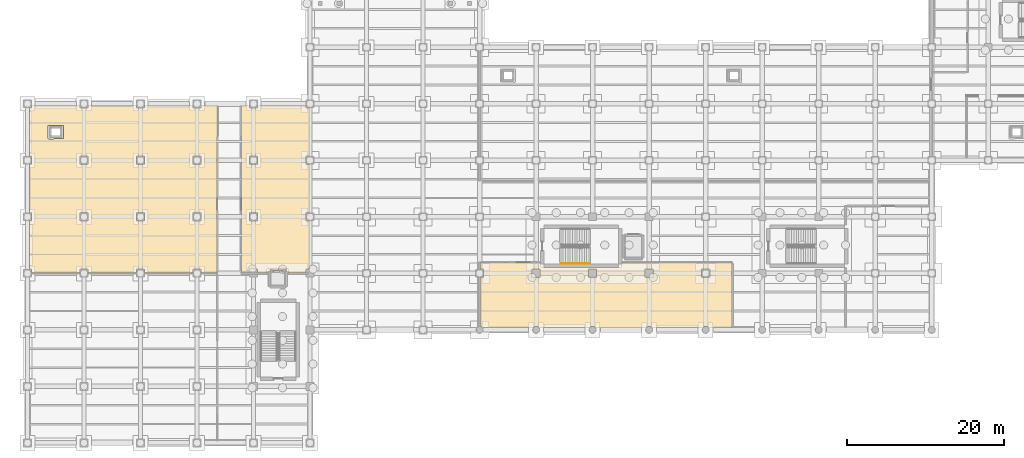
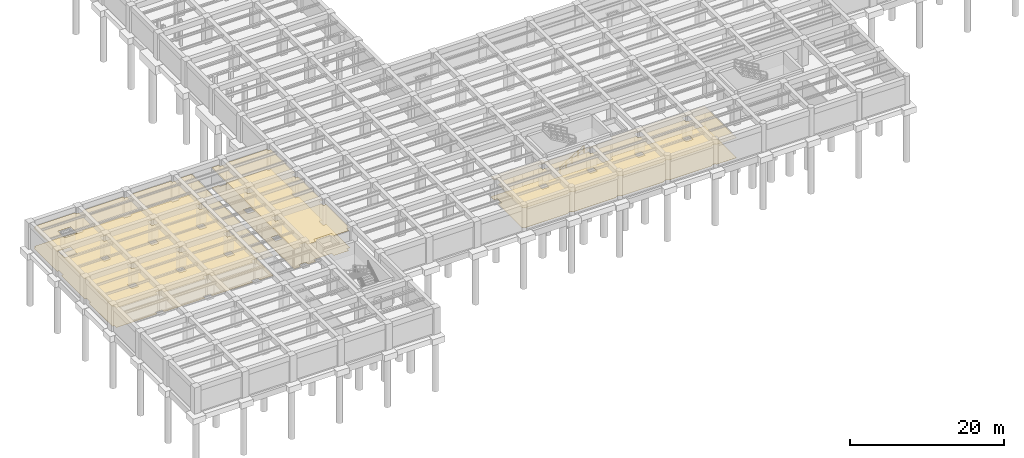
# One storey, part 25 of 34: 6 coverings, 1 railing.
"""IFC4 building model written with IfcOpenShell, lengths in metres."""

import ifcopenshell
import ifcopenshell.guid

model = None  # the IFC model being written
_history = None  # IfcOwnerHistory: only IFC2X3 demands one
_inside = {}  # id of a spatial element -> (the spatial element, [elements in it])
_under = {}  # id of a project, library or spatial element -> (it, [spatial elements below it])
_declared = {}  # id of a project -> (the project, [libraries it declares])
_typed = {}  # id of a type object -> (the type object, [elements of that type])
_made_of = {}  # id of a material, layer set ... -> (it, [elements and type objects made of it])


def new_model(schema):
    """Start an empty IFC model of exactly this schema.

    Asked for "IFC4X3", IfcOpenShell would pick the latest addendum, in which some entities
    have other attributes; the version numbers below select the first issue.
    IFC2X3 requires an IfcOwnerHistory on every rooted entity: one is made here for all.
    """
    global model, _history
    if schema == "IFC4X3":
        model = ifcopenshell.file(schema_version=(4, 3, 0, 0))
    else:
        model = ifcopenshell.file(schema=schema)
    _inside.clear()
    _under.clear()
    _declared.clear()
    _typed.clear()
    _made_of.clear()
    _history = None
    if model.schema == "IFC2X3":
        org = make("IfcOrganization", Name="unknown")
        user = make(
            "IfcPersonAndOrganization",
            ThePerson=make("IfcPerson", FamilyName="unknown"),
            TheOrganization=org,
        )
        app = make(
            "IfcApplication",
            ApplicationDeveloper=org,
            Version="unknown",
            ApplicationFullName="unknown",
            ApplicationIdentifier="unknown",
        )
        _history = make(
            "IfcOwnerHistory",
            OwningUser=user,
            OwningApplication=app,
            ChangeAction="ADDED",
            CreationDate=0,
        )
    return model


def make(cls, **values):
    """One entity of the class cls with the attributes given. An attribute that is None is left unset."""
    return model.create_entity(
        cls, **{name: value for name, value in values.items() if value is not None}
    )


def rooted(cls, **values):
    """An entity with a GlobalId (a new one), such as an element, a storey or a relation."""
    return make(cls, GlobalId=ifcopenshell.guid.new(), OwnerHistory=_history, **values)


def si_unit(unit_type, name, prefix=None):
    """IfcSIUnit, for example si_unit("LENGTHUNIT", "METRE", prefix="MILLI")."""
    return make("IfcSIUnit", UnitType=unit_type, Prefix=prefix, Name=name)


def assignment(units):
    """IfcUnitAssignment: the units of a project."""
    return None if units is None else make("IfcUnitAssignment", Units=units)


def point(xyz):
    """IfcCartesianPoint."""
    return None if xyz is None else make("IfcCartesianPoint", Coordinates=xyz)


def direction(xyz):
    """IfcDirection."""
    return None if xyz is None else make("IfcDirection", DirectionRatios=xyz)


def frame(location, z_axis=None, x_axis=None):
    """IfcAxis2Placement3D, a coordinate frame: its origin and axes. An axis left out is left unset."""
    return make(
        "IfcAxis2Placement3D",
        Location=point(location),
        Axis=direction(z_axis),
        RefDirection=direction(x_axis),
    )


def frame_2d(location, x_axis=None):
    """IfcAxis2Placement2D, a coordinate frame in the plane: its origin and x axis."""
    return make(
        "IfcAxis2Placement2D", Location=point(location), RefDirection=direction(x_axis)
    )


def origin():
    """The frame at (0, 0, 0) with its axes left unset."""
    return frame((0.0, 0.0, 0.0))


def origin_2d():
    """The frame at (0, 0) in the plane with its x axis left unset."""
    return frame_2d((0.0, 0.0))


def place(relative_to, where):
    """IfcLocalPlacement: puts the frame where relative to a parent placement (None: the world)."""
    return make(
        "IfcLocalPlacement", PlacementRelTo=relative_to, RelativePlacement=where
    )


def context(
    kind, dimensions, precision=None, world=None, true_north=None, identifier=None
):
    """IfcGeometricRepresentationContext, for example the 3D "Model" context."""
    return make(
        "IfcGeometricRepresentationContext",
        ContextIdentifier=identifier,
        ContextType=kind,
        CoordinateSpaceDimension=dimensions,
        Precision=precision,
        WorldCoordinateSystem=world,
        TrueNorth=true_north,
    )


def subcontext(parent, identifier, kind, view, scale=None):
    """IfcGeometricRepresentationSubContext, for example "Body" below "Model"."""
    return make(
        "IfcGeometricRepresentationSubContext",
        ContextIdentifier=identifier,
        ContextType=kind,
        ParentContext=parent,
        TargetScale=scale,
        TargetView=view,
    )


def project(units=None, contexts=None):
    """IfcProject with its units and contexts."""
    return rooted(
        "IfcProject",
        Name="project",
        RepresentationContexts=contexts,
        UnitsInContext=assignment(units),
    )


def spatial(cls, under=None, at=None, **own):
    """A site, building, storey or space (cls), placed at a placement, below another one or the project."""
    s = rooted(cls, ObjectPlacement=at, **own)
    if under is not None:
        _under.setdefault(under.id(), (under, []))[1].append(s)
    return s


def polyline(points):
    """IfcPolyline through the points."""
    return make("IfcPolyline", Points=[point(p) for p in points])


def profile(cls, at=None, kind="AREA", **sizes):
    """A parametric profile (cls). Its sizes go by their IFC names, for example OverallWidth=200.0."""
    return make(cls, ProfileType=kind, Position=at, **sizes)


def circle(**sizes):
    """IfcCircleProfileDef."""
    return profile("IfcCircleProfileDef", **sizes)


def outline(outer, holes=None, kind="AREA"):
    """IfcArbitraryClosedProfileDef: a profile drawn as a closed curve; with holes, ...WithVoids."""
    if holes is None:
        return make("IfcArbitraryClosedProfileDef", ProfileType=kind, OuterCurve=outer)
    return make(
        "IfcArbitraryProfileDefWithVoids",
        ProfileType=kind,
        OuterCurve=outer,
        InnerCurves=holes,
    )


def extrude(swept, where, along, depth):
    """IfcExtrudedAreaSolid: the profile swept, set in the frame where, extruded along a direction by depth."""
    return make(
        "IfcExtrudedAreaSolid",
        SweptArea=swept,
        Position=where,
        ExtrudedDirection=direction(along),
        Depth=depth,
    )


def shape(context_of_items, identifier, shape_type, items):
    """IfcShapeRepresentation: the items that make up one representation, for example the "Body"."""
    return make(
        "IfcShapeRepresentation",
        ContextOfItems=context_of_items,
        RepresentationIdentifier=identifier,
        RepresentationType=shape_type,
        Items=items,
    )


def material(Name=None, Category=None):
    """IfcMaterial."""
    return make("IfcMaterial", Name=Name, Category=Category)


def layer(
    of_material, thickness, ventilated=None, Name=None, Category=None, Priority=None
):
    """IfcMaterialLayer: one layer of a wall or slab, of a material (None: an air gap)."""
    return make(
        "IfcMaterialLayer",
        Material=of_material,
        LayerThickness=thickness,
        IsVentilated=ventilated,
        Name=Name,
        Category=Category,
        Priority=Priority,
    )


def layer_set(layers, Name=None):
    """IfcMaterialLayerSet."""
    return make("IfcMaterialLayerSet", MaterialLayers=layers, LayerSetName=Name)


def made_of(thing, what):
    """Note that an element or type object is made of a material, layer set ...; save() writes the relation."""
    if what is not None:
        _made_of.setdefault(what.id(), (what, []))[1].append(thing)
    return thing


def type_object(cls, material=None, **own):
    """A type object (cls), such as IfcWallType, which elements share."""
    return made_of(rooted(cls, **own), material)


def element(
    cls,
    number,
    at=None,
    inside=None,
    cuts=None,
    type_object=None,
    material=None,
    context=None,
    identifier="Body",
    shape_type=None,
    held_by="IfcProductDefinitionShape",
    body=None,
    shapes=None,
    **own,
):
    """One element of the class cls, such as IfcWall. Its Tag is "e" and its number.

    at: its placement. inside: the storey or other place that contains it. cuts: it is an
    opening in that element (IfcRelVoidsElement). A single representation is given by context,
    identifier, shape_type and body (its items); several are given by shapes. held_by: the class
    of the entity that holds the representations. save() writes the other relations.
    """
    e = rooted(cls, Tag="e%d" % number, ObjectPlacement=at, **own)
    if body is not None:
        shapes = [shape(context, identifier, shape_type, body)]
    if shapes is not None:
        e.Representation = make(held_by, Representations=shapes)
    if inside is not None:
        _inside.setdefault(inside.id(), (inside, []))[1].append(e)
    if cuts is not None:
        rooted(
            "IfcRelVoidsElement", RelatingBuildingElement=cuts, RelatedOpeningElement=e
        )
    if type_object is not None:
        _typed.setdefault(type_object.id(), (type_object, []))[1].append(e)
    return made_of(e, material)


def aggregate(whole, parts):
    """IfcRelAggregates: a whole, such as a stair, and the parts it consists of."""
    return rooted("IfcRelAggregates", RelatingObject=whole, RelatedObjects=parts)


def save(model, path):
    """Write the relations noted so far, then the file.

    IfcRelAggregates (storeys below a building ...), IfcRelContainedInSpatialStructure (elements
    in a storey), IfcRelDefinesByType, IfcRelAssociatesMaterial and IfcRelDeclares: one each for
    every whole, place, type object, material and project.
    """
    for whole, parts in _under.values():
        aggregate(whole, parts)
    for where, things in _inside.values():
        rooted(
            "IfcRelContainedInSpatialStructure",
            RelatedElements=things,
            RelatingStructure=where,
        )
    for kind, things in _typed.values():
        rooted("IfcRelDefinesByType", RelatedObjects=things, RelatingType=kind)
    for what, things in _made_of.values():
        rooted("IfcRelAssociatesMaterial", RelatedObjects=things, RelatingMaterial=what)
    for by, libraries in _declared.values():
        rooted("IfcRelDeclares", RelatingContext=by, RelatedDefinitions=libraries)
    model.write(path)


model = new_model("IFC4")

# Units and contexts
model_context = context("Model", 3, precision=1e-05, world=origin(), true_north=direction((0.0, 1.0)))
body_context = subcontext(model_context, "Body", "Model", "MODEL_VIEW")
ifc_project = project(units=[si_unit("LENGTHUNIT", "METRE"), si_unit("AREAUNIT", "SQUARE_METRE"), si_unit("VOLUMEUNIT", "CUBIC_METRE"), si_unit("PLANEANGLEUNIT", "RADIAN"), si_unit("MASSUNIT", "GRAM", prefix="KILO")], contexts=[model_context])

# Site, building, storey
site_placement = place(None, origin())
site = spatial("IfcSite", under=ifc_project, at=site_placement, CompositionType="ELEMENT")
building_placement = place(site_placement, origin())
building = spatial("IfcBuilding", under=site, at=building_placement, Name="Solenvale Faculty of Natural Sciences", CompositionType="ELEMENT")
storey_placement = place(building_placement, frame((0.0, 0.0, -4.5)))
storey = spatial("IfcBuildingStorey", under=building, at=storey_placement, Name="B01", CompositionType="ELEMENT", Elevation=-4.5)

# Coverings
ifc_material_1 = material(Name="Acoustic mineral-timber ceiling", Category="wood")
ifc_layer_1 = layer(ifc_material_1, 0.02490234375)
ifc_layer_set_1 = layer_set([ifc_layer_1], Name="Acoustic mineral-timber ceiling")
covering_type_1 = type_object("IfcCoveringType", Name="COV-CEIL-AC25", PredefinedType="CEILING", material=ifc_layer_set_1)
covering_1_placement = place(storey_placement, frame((0.0, 0.0, 3.1650390625)))
element("IfcCovering", 1, at=covering_1_placement, inside=storey, type_object=covering_type_1, Name="B01 Audiovisual Workshop Laboratory Acoustic Ceiling", PredefinedType="CEILING", context=body_context, shape_type="SweptSolid", body=[
    extrude(outline(polyline([(24.179931640625, 39.049072265625), (24.159912109375, 39.0), (24.159912109375, 21.669921875), (24.14697265625, 21.64501953125), (22.14892578125, 21.64111328125), (22.125, 21.6669921875), (22.125, 22.114013671875), (22.114013671875, 22.125), (21.0810546875, 22.1240234375), (21.074951171875, 21.6669921875), (21.044921875, 21.639892578125), (14.951904296875, 21.639892578125), (14.925048828125, 21.6669921875), (14.925048828125, 22.114013671875), (14.9140625, 22.125), (13.881103515625, 22.1240234375), (13.875, 21.6669921875), (13.844970703125, 21.639892578125), (7.751953125, 21.639892578125), (7.72509765625, 21.6669921875), (7.72509765625, 22.114013671875), (7.714111328125, 22.125), (6.680908203125, 22.1240234375), (6.675048828125, 21.6669921875), (6.64794921875, 21.639892578125), (0.554931640625, 21.639892578125), (0.530029296875, 21.653076171875), (0.52392578125, 22.1201171875), (0.26708984375, 22.125), (0.239990234375, 22.155029296875), (0.239990234375, 28.2451171875), (0.26708984375, 28.27490234375), (0.513916015625, 28.27490234375), (0.52490234375, 28.285888671875), (0.52490234375, 29.318115234375), (0.26708984375, 29.324951171875), (0.239990234375, 29.35498046875), (0.239990234375, 35.445068359375), (0.26708984375, 35.47509765625), (0.513916015625, 35.47509765625), (0.52490234375, 35.486083984375), (0.52490234375, 36.51806640625), (0.26708984375, 36.52490234375), (0.239990234375, 36.554931640625), (0.239990234375, 42.64501953125), (0.26708984375, 42.675048828125), (0.52197265625, 42.677978515625), (0.52490234375, 42.93310546875), (0.5380859375, 42.955078125), (6.64501953125, 42.9599609375), (6.675048828125, 42.93310546875), (6.681884765625, 42.675048828125), (7.714111328125, 42.675048828125), (7.72509765625, 42.68603515625), (7.72509765625, 42.93310546875), (7.7548828125, 42.9599609375), (13.844970703125, 42.9599609375), (13.875, 42.93310546875), (13.882080078125, 42.675048828125), (14.9140625, 42.675048828125), (14.925048828125, 42.68603515625), (14.925048828125, 42.93310546875), (14.955078125, 42.9599609375), (21.044921875, 42.9599609375), (21.074951171875, 42.93310546875), (21.08203125, 42.675048828125), (22.114013671875, 42.675048828125), (22.125, 42.68603515625), (22.125, 42.93310546875), (22.152099609375, 42.9599609375), (24.156005859375, 42.958984375), (24.179931640625, 42.929931640625), (24.179931640625, 39.049072265625)]), holes=[polyline([(21.0859375, 36.52490234375), (21.074951171875, 36.513916015625), (21.077880859375, 35.47802734375), (22.1220703125, 35.47802734375), (22.1220703125, 36.52197265625), (21.0859375, 36.52490234375)]), polyline([(22.125, 29.31396484375), (22.114013671875, 29.324951171875), (21.077880859375, 29.322021484375), (21.077880859375, 28.278076171875), (22.1220703125, 28.278076171875), (22.125, 29.31396484375)]), polyline([(14.925048828125, 29.31396484375), (14.9140625, 29.324951171875), (13.8779296875, 29.322021484375), (13.8779296875, 28.278076171875), (14.922119140625, 28.278076171875), (14.925048828125, 29.31396484375)]), polyline([(14.925048828125, 36.513916015625), (14.9140625, 36.52490234375), (13.8779296875, 36.52197265625), (13.8779296875, 35.47802734375), (14.922119140625, 35.47802734375), (14.925048828125, 36.513916015625)]), polyline([(6.68603515625, 29.324951171875), (6.675048828125, 29.31396484375), (6.677978515625, 28.278076171875), (7.721923828125, 28.278076171875), (7.721923828125, 29.322021484375), (6.68603515625, 29.324951171875)]), polyline([(7.72509765625, 36.513916015625), (7.714111328125, 36.52490234375), (6.677978515625, 36.52197265625), (6.677978515625, 35.47802734375), (7.721923828125, 35.47802734375), (7.72509765625, 36.513916015625)]), polyline([(4.56005859375, 40.431884765625), (4.550048828125, 40.451904296875), (4.530029296875, 40.4599609375), (2.64990234375, 40.451904296875), (2.639892578125, 40.429931640625), (2.64794921875, 38.75), (2.669921875, 38.739990234375), (4.550048828125, 38.748046875), (4.56005859375, 38.77001953125), (4.56005859375, 40.431884765625)])]), origin(), (0.0, 0.0, 1.0), 0.02490234375),
])
covering_2_placement = place(storey_placement, frame((0.0, 0.0, 3.1650390625)))
element("IfcCovering", 2, at=covering_2_placement, inside=storey, type_object=covering_type_1, Name="B01 Instrument Calibration Laboratory Acoustic Ceiling", PredefinedType="CEILING", context=body_context, shape_type="SweptSolid", body=[
    extrude(outline(polyline([(27.239990234375, 39.0), (27.219970703125, 39.049072265625), (27.219970703125, 42.929931640625), (27.239013671875, 42.9580078125), (28.25390625, 42.958984375), (28.27490234375, 42.93310546875), (28.27490234375, 42.68603515625), (28.283935546875, 42.675048828125), (29.31396484375, 42.675048828125), (29.324951171875, 42.68603515625), (29.324951171875, 42.93310546875), (29.35498046875, 42.9599609375), (35.445068359375, 42.9599609375), (35.47509765625, 42.93310546875), (35.47998046875, 42.676025390625), (35.949951171875, 42.675048828125), (35.97802734375, 42.656005859375), (35.97998046875, 36.552001953125), (35.952880859375, 36.52490234375), (35.47607421875, 36.52001953125), (35.47509765625, 35.486083984375), (35.486083984375, 35.47509765625), (35.952880859375, 35.47509765625), (35.97998046875, 35.447998046875), (35.97998046875, 29.35498046875), (35.952880859375, 29.324951171875), (35.47607421875, 29.319091796875), (35.47509765625, 28.285888671875), (35.486083984375, 28.27490234375), (35.952880859375, 28.27490234375), (35.97998046875, 28.248046875), (35.97998046875, 22.155029296875), (35.952880859375, 22.125), (35.47802734375, 22.1220703125), (35.47509765625, 21.64990234375), (35.4560546875, 21.6220703125), (33.279052734375, 21.62109375), (33.2548828125, 21.64990234375), (33.2548828125, 22.152099609375), (33.2451171875, 22.172119140625), (33.22509765625, 22.179931640625), (30.568115234375, 22.178955078125), (30.544921875, 22.15087890625), (30.544921875, 21.64697265625), (30.514892578125, 21.6201171875), (29.34912109375, 21.62109375), (29.324951171875, 21.64697265625), (29.320068359375, 22.1240234375), (28.283935546875, 22.125), (28.27490234375, 22.114013671875), (28.27490234375, 21.64697265625), (28.256103515625, 21.6220703125), (27.27001953125, 21.6201171875), (27.241943359375, 21.638916015625), (27.239990234375, 39.0)]), holes=[polyline([(29.324951171875, 29.31396484375), (29.31396484375, 29.324951171875), (28.278076171875, 29.322021484375), (28.278076171875, 28.278076171875), (29.322021484375, 28.278076171875), (29.324951171875, 29.31396484375)]), polyline([(29.324951171875, 36.513916015625), (29.31396484375, 36.52490234375), (28.278076171875, 36.52197265625), (28.278076171875, 35.47802734375), (29.322021484375, 35.47802734375), (29.324951171875, 36.513916015625)])]), origin(), (0.0, 0.0, 1.0), 0.02490234375),
])
covering_3_placement = place(storey_placement, frame((0.0, 0.0, 3.1650390625)))
element("IfcCovering", 3, at=covering_3_placement, inside=storey, type_object=covering_type_1, Name="B01 Chemical and Solvent Store Acoustic Ceiling", PredefinedType="CEILING", context=body_context, shape_type="SweptSolid", body=[
    extrude(outline(polyline([(57.9970703125, 14.639892578125), (57.85009765625, 14.77392578125), (57.77099609375, 14.81591796875), (57.638916015625, 14.847900390625), (57.6201171875, 14.8720703125), (57.6201171875, 21.044921875), (57.64697265625, 21.074951171875), (58.1240234375, 21.0810546875), (58.125, 22.114013671875), (58.114013671875, 22.125), (57.64697265625, 22.125), (57.6240234375, 22.14111328125), (57.6201171875, 22.949951171875), (57.64111328125, 22.97900390625), (60.950927734375, 22.97998046875), (61.0, 22.9599609375), (65.39306640625, 22.9599609375), (65.419921875, 22.93310546875), (65.419921875, 22.446044921875), (65.449951171875, 22.419921875), (75.652099609375, 22.419921875), (75.679931640625, 22.447998046875), (75.679931640625, 22.952880859375), (75.7099609375, 22.97998046875), (89.75, 22.97998046875), (89.779052734375, 22.958984375), (89.780029296875, 14.669921875), (89.759033203125, 14.64111328125), (86.7939453125, 14.639892578125), (86.65087890625, 14.77294921875), (86.573974609375, 14.81494140625), (86.488037109375, 14.841064453125), (86.39990234375, 14.85009765625), (86.31201171875, 14.841064453125), (86.22607421875, 14.81494140625), (86.14892578125, 14.77294921875), (86.0029296875, 14.639892578125), (79.596923828125, 14.639892578125), (79.450927734375, 14.77294921875), (79.3740234375, 14.81494140625), (79.2880859375, 14.841064453125), (79.199951171875, 14.85009765625), (79.112060546875, 14.841064453125), (79.02587890625, 14.81494140625), (78.948974609375, 14.77294921875), (78.802978515625, 14.639892578125), (72.39697265625, 14.639892578125), (72.2509765625, 14.77294921875), (72.174072265625, 14.81494140625), (72.087890625, 14.841064453125), (72.0, 14.85009765625), (71.912109375, 14.841064453125), (71.825927734375, 14.81494140625), (71.7490234375, 14.77294921875), (71.60302734375, 14.639892578125), (65.197021484375, 14.639892578125), (65.051025390625, 14.77294921875), (64.97412109375, 14.81494140625), (64.887939453125, 14.841064453125), (64.800048828125, 14.85009765625), (64.7119140625, 14.841064453125), (64.6259765625, 14.81494140625), (64.549072265625, 14.77294921875), (64.403076171875, 14.639892578125), (57.9970703125, 14.639892578125)]), holes=[polyline([(86.925048828125, 22.114013671875), (86.9140625, 22.125), (85.8779296875, 22.1220703125), (85.8779296875, 21.077880859375), (86.922119140625, 21.077880859375), (86.925048828125, 22.114013671875)]), polyline([(79.72509765625, 22.114013671875), (79.714111328125, 22.125), (78.677978515625, 22.1220703125), (78.677978515625, 21.077880859375), (79.721923828125, 21.077880859375), (79.72509765625, 22.114013671875)]), polyline([(72.52490234375, 22.114013671875), (72.513916015625, 22.125), (71.47802734375, 22.1220703125), (71.47802734375, 21.077880859375), (72.52197265625, 21.077880859375), (72.52490234375, 22.114013671875)]), polyline([(64.285888671875, 22.125), (64.27490234375, 22.114013671875), (64.278076171875, 21.077880859375), (65.322021484375, 21.077880859375), (65.322021484375, 22.1220703125), (64.285888671875, 22.125)])]), origin(), (0.0, 0.0, 1.0), 0.02490234375),
])
ifc_material_2 = material(Name="Polished slate terrazzo flooring", Category="masonry")
ifc_layer_2 = layer(ifc_material_2, 0.01806640625)
ifc_layer_set_2 = layer_set([ifc_layer_2], Name="Polished slate terrazzo flooring")
covering_type_2 = type_object("IfcCoveringType", Name="COV-FLR-TRZ18", PredefinedType="FLOORING", material=ifc_layer_set_2)
covering_4_placement = place(storey_placement, origin())
element("IfcCovering", 4, at=covering_4_placement, inside=storey, type_object=covering_type_2, Name="B01 Chemical and Solvent Store Floor Finish", PredefinedType="FLOORING", context=body_context, shape_type="SweptSolid", body=[
    extrude(outline(polyline([(57.9970703125, 14.639892578125), (57.85009765625, 14.77392578125), (57.77099609375, 14.81591796875), (57.638916015625, 14.847900390625), (57.6201171875, 14.8720703125), (57.6201171875, 21.044921875), (57.64697265625, 21.074951171875), (58.1240234375, 21.0810546875), (58.125, 22.114013671875), (58.114013671875, 22.125), (57.64697265625, 22.125), (57.6240234375, 22.14111328125), (57.6201171875, 22.949951171875), (57.64111328125, 22.97900390625), (60.950927734375, 22.97998046875), (61.0, 22.9599609375), (65.39306640625, 22.9599609375), (65.419921875, 22.93310546875), (65.419921875, 22.446044921875), (65.449951171875, 22.419921875), (75.652099609375, 22.419921875), (75.679931640625, 22.447998046875), (75.679931640625, 22.952880859375), (75.7099609375, 22.97998046875), (89.75, 22.97998046875), (89.779052734375, 22.958984375), (89.780029296875, 14.669921875), (89.759033203125, 14.64111328125), (86.7939453125, 14.639892578125), (86.65087890625, 14.77294921875), (86.573974609375, 14.81494140625), (86.488037109375, 14.841064453125), (86.39990234375, 14.85009765625), (86.31201171875, 14.841064453125), (86.22607421875, 14.81494140625), (86.14892578125, 14.77294921875), (86.0029296875, 14.639892578125), (79.596923828125, 14.639892578125), (79.450927734375, 14.77294921875), (79.3740234375, 14.81494140625), (79.2880859375, 14.841064453125), (79.199951171875, 14.85009765625), (79.112060546875, 14.841064453125), (79.02587890625, 14.81494140625), (78.948974609375, 14.77294921875), (78.802978515625, 14.639892578125), (72.39697265625, 14.639892578125), (72.2509765625, 14.77294921875), (72.174072265625, 14.81494140625), (72.087890625, 14.841064453125), (72.0, 14.85009765625), (71.912109375, 14.841064453125), (71.825927734375, 14.81494140625), (71.7490234375, 14.77294921875), (71.60302734375, 14.639892578125), (65.197021484375, 14.639892578125), (65.051025390625, 14.77294921875), (64.97412109375, 14.81494140625), (64.887939453125, 14.841064453125), (64.800048828125, 14.85009765625), (64.7119140625, 14.841064453125), (64.6259765625, 14.81494140625), (64.549072265625, 14.77294921875), (64.403076171875, 14.639892578125), (57.9970703125, 14.639892578125)]), holes=[polyline([(86.925048828125, 22.114013671875), (86.9140625, 22.125), (85.8779296875, 22.1220703125), (85.8779296875, 21.077880859375), (86.922119140625, 21.077880859375), (86.925048828125, 22.114013671875)]), polyline([(79.72509765625, 22.114013671875), (79.714111328125, 22.125), (78.677978515625, 22.1220703125), (78.677978515625, 21.077880859375), (79.721923828125, 21.077880859375), (79.72509765625, 22.114013671875)]), polyline([(72.52490234375, 22.114013671875), (72.513916015625, 22.125), (71.47802734375, 22.1220703125), (71.47802734375, 21.077880859375), (72.52197265625, 21.077880859375), (72.52490234375, 22.114013671875)]), polyline([(64.285888671875, 22.125), (64.27490234375, 22.114013671875), (64.278076171875, 21.077880859375), (65.322021484375, 21.077880859375), (65.322021484375, 22.1220703125), (64.285888671875, 22.125)])]), origin(), (0.0, 0.0, 1.0), 0.01806640625),
])
ifc_material_3 = material(Name="Seamless laboratory vinyl flooring")
ifc_layer_3 = layer(ifc_material_3, 0.008056640625)
ifc_layer_set_3 = layer_set([ifc_layer_3], Name="Seamless laboratory vinyl flooring")
covering_type_3 = type_object("IfcCoveringType", Name="COV-FLR-VNL08", PredefinedType="FLOORING", material=ifc_layer_set_3)
covering_5_placement = place(storey_placement, origin())
element("IfcCovering", 5, at=covering_5_placement, inside=storey, type_object=covering_type_3, Name="B01 Audiovisual Workshop Laboratory Floor Finish", PredefinedType="FLOORING", context=body_context, shape_type="SweptSolid", body=[
    extrude(outline(polyline([(24.179931640625, 39.049072265625), (24.159912109375, 39.0), (24.159912109375, 21.669921875), (24.14697265625, 21.64501953125), (22.14892578125, 21.64111328125), (22.125, 21.6669921875), (22.125, 22.114013671875), (22.114013671875, 22.125), (21.0810546875, 22.1240234375), (21.074951171875, 21.6669921875), (21.044921875, 21.639892578125), (14.951904296875, 21.639892578125), (14.925048828125, 21.6669921875), (14.925048828125, 22.114013671875), (14.9140625, 22.125), (13.881103515625, 22.1240234375), (13.875, 21.6669921875), (13.844970703125, 21.639892578125), (7.751953125, 21.639892578125), (7.72509765625, 21.6669921875), (7.72509765625, 22.114013671875), (7.714111328125, 22.125), (6.680908203125, 22.1240234375), (6.675048828125, 21.6669921875), (6.64794921875, 21.639892578125), (0.554931640625, 21.639892578125), (0.530029296875, 21.653076171875), (0.52392578125, 22.1201171875), (0.26708984375, 22.125), (0.239990234375, 22.155029296875), (0.239990234375, 28.2451171875), (0.26708984375, 28.27490234375), (0.513916015625, 28.27490234375), (0.52490234375, 28.285888671875), (0.52490234375, 29.318115234375), (0.26708984375, 29.324951171875), (0.239990234375, 29.35498046875), (0.239990234375, 35.445068359375), (0.26708984375, 35.47509765625), (0.513916015625, 35.47509765625), (0.52490234375, 35.486083984375), (0.52490234375, 36.51806640625), (0.26708984375, 36.52490234375), (0.239990234375, 36.554931640625), (0.239990234375, 42.64501953125), (0.26708984375, 42.675048828125), (0.52197265625, 42.677978515625), (0.52490234375, 42.93310546875), (0.5380859375, 42.955078125), (6.64501953125, 42.9599609375), (6.675048828125, 42.93310546875), (6.681884765625, 42.675048828125), (7.714111328125, 42.675048828125), (7.72509765625, 42.68603515625), (7.72509765625, 42.93310546875), (7.7548828125, 42.9599609375), (13.844970703125, 42.9599609375), (13.875, 42.93310546875), (13.882080078125, 42.675048828125), (14.9140625, 42.675048828125), (14.925048828125, 42.68603515625), (14.925048828125, 42.93310546875), (14.955078125, 42.9599609375), (21.044921875, 42.9599609375), (21.074951171875, 42.93310546875), (21.08203125, 42.675048828125), (22.114013671875, 42.675048828125), (22.125, 42.68603515625), (22.125, 42.93310546875), (22.152099609375, 42.9599609375), (24.156005859375, 42.958984375), (24.179931640625, 42.929931640625), (24.179931640625, 39.049072265625)]), holes=[polyline([(21.0859375, 36.52490234375), (21.074951171875, 36.513916015625), (21.077880859375, 35.47802734375), (22.1220703125, 35.47802734375), (22.1220703125, 36.52197265625), (21.0859375, 36.52490234375)]), polyline([(22.125, 29.31396484375), (22.114013671875, 29.324951171875), (21.077880859375, 29.322021484375), (21.077880859375, 28.278076171875), (22.1220703125, 28.278076171875), (22.125, 29.31396484375)]), polyline([(14.925048828125, 29.31396484375), (14.9140625, 29.324951171875), (13.8779296875, 29.322021484375), (13.8779296875, 28.278076171875), (14.922119140625, 28.278076171875), (14.925048828125, 29.31396484375)]), polyline([(14.925048828125, 36.513916015625), (14.9140625, 36.52490234375), (13.8779296875, 36.52197265625), (13.8779296875, 35.47802734375), (14.922119140625, 35.47802734375), (14.925048828125, 36.513916015625)]), polyline([(6.68603515625, 29.324951171875), (6.675048828125, 29.31396484375), (6.677978515625, 28.278076171875), (7.721923828125, 28.278076171875), (7.721923828125, 29.322021484375), (6.68603515625, 29.324951171875)]), polyline([(7.72509765625, 36.513916015625), (7.714111328125, 36.52490234375), (6.677978515625, 36.52197265625), (6.677978515625, 35.47802734375), (7.721923828125, 35.47802734375), (7.72509765625, 36.513916015625)]), polyline([(4.56005859375, 40.431884765625), (4.550048828125, 40.451904296875), (4.530029296875, 40.4599609375), (2.64990234375, 40.451904296875), (2.639892578125, 40.429931640625), (2.64794921875, 38.75), (2.669921875, 38.739990234375), (4.550048828125, 38.748046875), (4.56005859375, 38.77001953125), (4.56005859375, 40.431884765625)])]), origin(), (0.0, 0.0, 1.0), 0.008056640625),
])
covering_6_placement = place(storey_placement, origin())
element("IfcCovering", 6, at=covering_6_placement, inside=storey, type_object=covering_type_3, Name="B01 Instrument Calibration Laboratory Floor Finish", PredefinedType="FLOORING", context=body_context, shape_type="SweptSolid", body=[
    extrude(outline(polyline([(27.239990234375, 39.0), (27.219970703125, 39.049072265625), (27.219970703125, 42.929931640625), (27.239013671875, 42.9580078125), (28.25390625, 42.958984375), (28.27490234375, 42.93310546875), (28.27490234375, 42.68603515625), (28.283935546875, 42.675048828125), (29.31396484375, 42.675048828125), (29.324951171875, 42.68603515625), (29.324951171875, 42.93310546875), (29.35498046875, 42.9599609375), (35.445068359375, 42.9599609375), (35.47509765625, 42.93310546875), (35.47998046875, 42.676025390625), (35.949951171875, 42.675048828125), (35.97802734375, 42.656005859375), (35.97998046875, 36.552001953125), (35.952880859375, 36.52490234375), (35.47607421875, 36.52001953125), (35.47509765625, 35.486083984375), (35.486083984375, 35.47509765625), (35.952880859375, 35.47509765625), (35.97998046875, 35.447998046875), (35.97998046875, 29.35498046875), (35.952880859375, 29.324951171875), (35.47607421875, 29.319091796875), (35.47509765625, 28.285888671875), (35.486083984375, 28.27490234375), (35.952880859375, 28.27490234375), (35.97998046875, 28.248046875), (35.97998046875, 22.155029296875), (35.952880859375, 22.125), (35.47802734375, 22.1220703125), (35.47509765625, 21.64990234375), (35.4560546875, 21.6220703125), (33.279052734375, 21.62109375), (33.2548828125, 21.64990234375), (33.2548828125, 22.152099609375), (33.2451171875, 22.172119140625), (33.22509765625, 22.179931640625), (30.568115234375, 22.178955078125), (30.544921875, 22.15087890625), (30.544921875, 21.64697265625), (30.514892578125, 21.6201171875), (29.34912109375, 21.62109375), (29.324951171875, 21.64697265625), (29.320068359375, 22.1240234375), (28.283935546875, 22.125), (28.27490234375, 22.114013671875), (28.27490234375, 21.64697265625), (28.256103515625, 21.6220703125), (27.27001953125, 21.6201171875), (27.241943359375, 21.638916015625), (27.239990234375, 39.0)]), holes=[polyline([(29.324951171875, 29.31396484375), (29.31396484375, 29.324951171875), (28.278076171875, 29.322021484375), (28.278076171875, 28.278076171875), (29.322021484375, 28.278076171875), (29.324951171875, 29.31396484375)]), polyline([(29.324951171875, 36.513916015625), (29.31396484375, 36.52490234375), (28.278076171875, 36.52197265625), (28.278076171875, 35.47802734375), (29.322021484375, 35.47802734375), (29.324951171875, 36.513916015625)])]), origin(), (0.0, 0.0, 1.0), 0.008056640625),
])

# Railing
ifc_material_4 = material(Name="Stainless steel Grade 304", Category="steel")
railing_type = type_object("IfcRailingType", Name="RL-HND-900", PredefinedType="HANDRAIL", material=ifc_material_4)
railing_placement = place(storey_placement, frame((67.93994140625, 22.85009765625, 0.173095703125)))
element("IfcRailing", 7, at=railing_placement, inside=storey, type_object=railing_type, Name="B01 ST-03 stair handrail 1", PredefinedType="HANDRAIL", context=body_context, shape_type="SweptSolid", body=[
    extrude(circle(Radius=0.02392578125, at=origin_2d()), frame((0.0, 0.0, 1.0732421875), z_axis=(0.866193409371, 0.0, 0.499708892819), x_axis=(0.0, 1.0, 0.0)), (0.0, 0.0, 1.0), 4.15625),
    extrude(circle(Radius=0.01611328125, at=origin_2d()), frame((0.0, 0.0, 0.548583984375), z_axis=(0.866193409371, 0.0, 0.499708892819), x_axis=(0.0, 1.0, 0.0)), (0.0, 0.0, 1.0), 4.15625),
    extrude(circle(Radius=0.02099609375, at=origin_2d()), origin(), (0.0, 0.0, 1.0), 1.049072265625),
    extrude(circle(Radius=0.02099609375, at=origin_2d()), frame((0.89990234375, 0.0, 0.519287109375)), (0.0, 0.0, 1.0), 1.049072265625),
    extrude(circle(Radius=0.02099609375, at=origin_2d()), frame((1.800048828125, 0.0, 1.03857421875)), (0.0, 0.0, 1.0), 1.049072265625),
    extrude(circle(Radius=0.02099609375, at=origin_2d()), frame((2.7001953125, 0.0, 1.5576171875)), (0.0, 0.0, 1.0), 1.049072265625),
    extrude(circle(Radius=0.02099609375, at=origin_2d()), frame((3.60009765625, 0.0, 2.076904296875)), (0.0, 0.0, 1.0), 1.049072265625),
])

save(model, "model.ifc")
